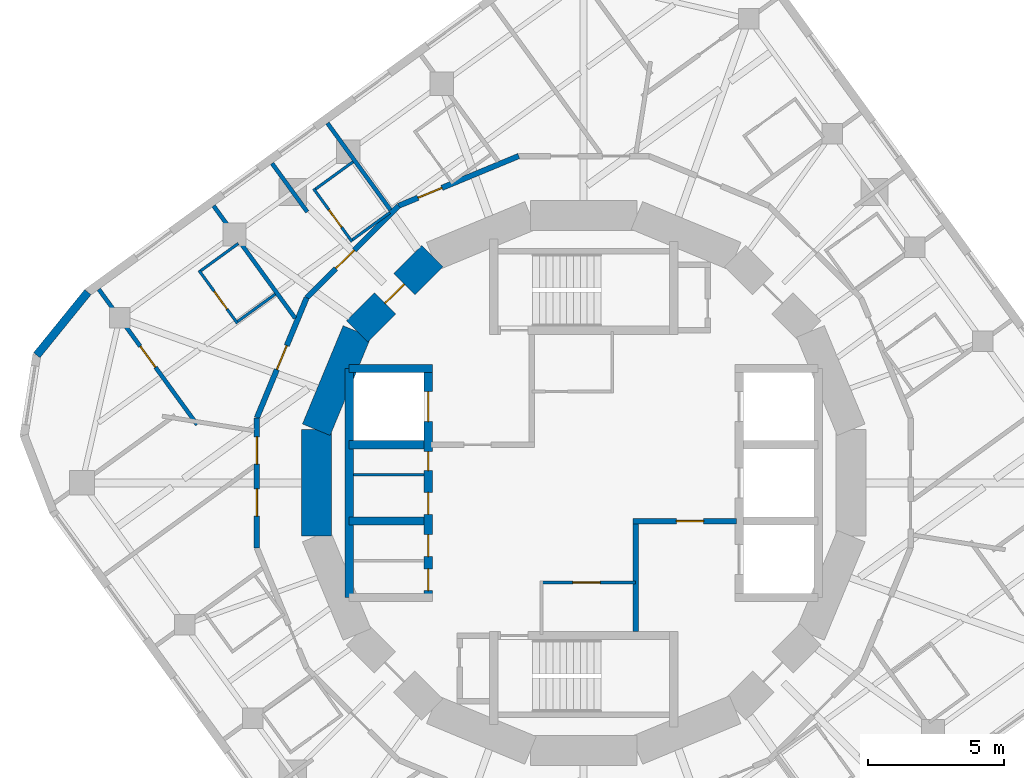
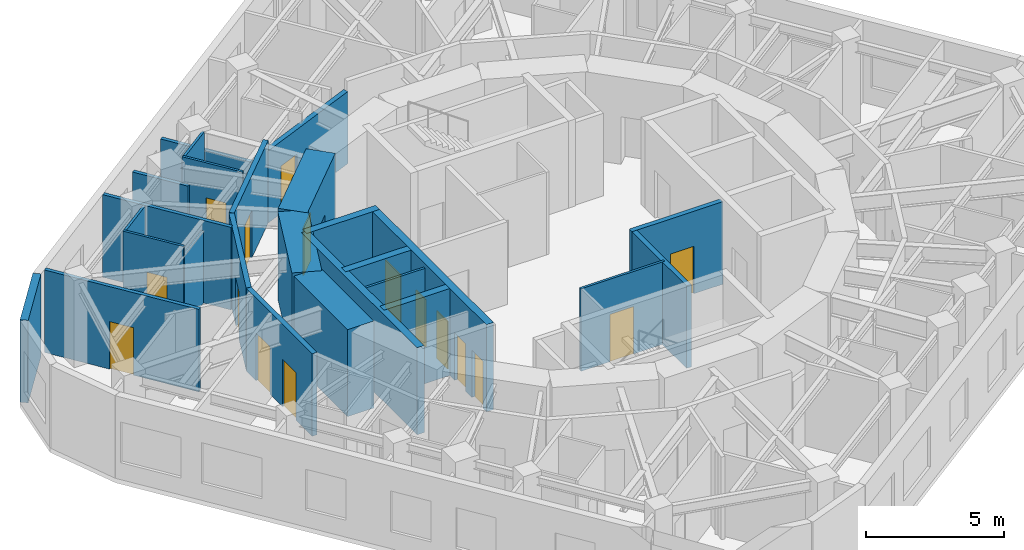
# One storey, part 5 of 9: 27 walls, 16 doors, 16 openings.
"""IFC4 building model written with IfcOpenShell, lengths in metres."""

from ifc_helpers import new_model, si_unit, direction, frame, frame_2d, origin, place, context, subcontext, project, spatial, rectangle, extrude, material, layer, layer_set, type_object, element, fill, save


model = new_model("IFC4")

# Units and contexts
model_context = context("Model", 3, precision=1e-05, world=origin(), true_north=direction((0.0, 1.0)))
body_context = subcontext(model_context, "Body", "Model", "MODEL_VIEW")
ifc_project = project(units=[si_unit("LENGTHUNIT", "METRE"), si_unit("AREAUNIT", "SQUARE_METRE"), si_unit("VOLUMEUNIT", "CUBIC_METRE"), si_unit("PLANEANGLEUNIT", "RADIAN"), si_unit("MASSUNIT", "GRAM", prefix="KILO")], contexts=[model_context])

# Site, building, storey
site_placement = place(None, origin())
site = spatial("IfcSite", under=ifc_project, at=site_placement, CompositionType="ELEMENT")
building_placement = place(site_placement, origin())
building = spatial("IfcBuilding", under=site, at=building_placement, Name="Nakasero Lantern House", CompositionType="ELEMENT")
storey_placement = place(building_placement, frame((0.0, 0.0, 283.0)))
storey = spatial("IfcBuildingStorey", under=building, at=storey_placement, Name="L69", CompositionType="ELEMENT", Elevation=283.0)

# Wall, openings, doors
ifc_material_1 = material(Name="Concrete C50/60", Category="concrete")
ifc_layer_1 = layer(ifc_material_1, 0.300048828125)
ifc_layer_set_1 = layer_set([ifc_layer_1], Name="Core inner wall 300")
wall_type_1 = type_object("IfcWallType", Name="Core inner wall 300", PredefinedType="SHEAR", material=ifc_layer_set_1)
wall_1_placement = place(storey_placement, frame((-5.699951171875, -4.199951171875, 0.0), z_axis=(0.0, 0.0, 1.0), x_axis=(0.0, 1.0, 0.0)))
wall_1 = element("IfcWall", 1, at=wall_1_placement, inside=storey, type_object=wall_type_1, Name="Core inner wall L69 LW", PredefinedType="SHEAR", context=body_context, shape_type="SweptSolid", body=[
    extrude(rectangle(XDim=8.39990234375, YDim=0.300048828125, at=frame_2d((4.199951171875, 0.0))), origin(), (0.0, 0.0, 1.0), 3.85009765625),
])
opening_1_placement = place(wall_1_placement, frame((0.25, 0.0, 0.0)))
opening_1 = element("IfcOpeningElement", 2, at=opening_1_placement, cuts=wall_1, Name="Opening D15", PredefinedType="OPENING", context=body_context, shape_type="SweptSolid", body=[
    extrude(rectangle(XDim=0.800048828125, YDim=2.10009765625, at=frame_2d((0.39990234375, 1.050048828125))), frame((0.0, 0.169921875, 0.0), z_axis=(0.0, -1.0, 0.0), x_axis=(1.0, 0.0, 0.0)), (0.0, 0.0, 1.0), 0.340087890625),
])
opening_2_placement = place(wall_1_placement, frame((1.5, 0.0, 0.0)))
opening_2 = element("IfcOpeningElement", 3, at=opening_2_placement, cuts=wall_1, Name="Opening D15", PredefinedType="OPENING", context=body_context, shape_type="SweptSolid", body=[
    extrude(rectangle(XDim=0.800048828125, YDim=2.10009765625, at=frame_2d((0.39990234375, 1.050048828125))), frame((0.0, 0.169921875, 0.0), z_axis=(0.0, -1.0, 0.0), x_axis=(1.0, 0.0, 0.0)), (0.0, 0.0, 1.0), 0.340087890625),
])
opening_3_placement = place(wall_1_placement, frame((3.050048828125, 0.0, 0.0)))
opening_3 = element("IfcOpeningElement", 4, at=opening_3_placement, cuts=wall_1, Name="Opening D15", PredefinedType="OPENING", context=body_context, shape_type="SweptSolid", body=[
    extrude(rectangle(XDim=0.800048828125, YDim=2.10009765625, at=frame_2d((0.39990234375, 1.050048828125))), frame((0.0, 0.169921875, 0.0), z_axis=(0.0, -1.0, 0.0), x_axis=(1.0, 0.0, 0.0)), (0.0, 0.0, 1.0), 0.340087890625),
])
opening_4_placement = place(wall_1_placement, frame((4.64990234375, 0.0, 0.0)))
opening_4 = element("IfcOpeningElement", 5, at=opening_4_placement, cuts=wall_1, Name="Opening D20", PredefinedType="OPENING", context=body_context, shape_type="SweptSolid", body=[
    extrude(rectangle(XDim=0.699951171875, YDim=2.10009765625, at=frame_2d((0.35009765625, 1.050048828125))), frame((0.0, 0.169921875, 0.0), z_axis=(0.0, -1.0, 0.0), x_axis=(1.0, 0.0, 0.0)), (0.0, 0.0, 1.0), 0.340087890625),
])
opening_5_placement = place(wall_1_placement, frame((6.449951171875, 0.0, 0.0)))
opening_5 = element("IfcOpeningElement", 6, at=opening_5_placement, cuts=wall_1, Name="Opening LD", PredefinedType="OPENING", context=body_context, shape_type="SweptSolid", body=[
    extrude(rectangle(XDim=1.10009765625, YDim=2.10009765625, at=frame_2d((0.550048828125, 1.050048828125))), frame((0.0, 0.169921875, 0.0), z_axis=(0.0, -1.0, 0.0), x_axis=(1.0, 0.0, 0.0)), (0.0, 0.0, 1.0), 0.340087890625),
])
ifc_material_2 = material(Name="Timber C24", Category="wood")
door_type_1 = type_object("IfcDoorType", Name="Cleaner's store door FD30S 700", OperationType="SINGLE_SWING_LEFT", PredefinedType="DOOR", material=ifc_material_2)
door_1_placement = place(opening_4_placement, origin())
door_1 = element("IfcDoor", 7, at=door_1_placement, inside=storey, type_object=door_type_1, Name="Door L69 D-SH-LW2b", OperationType="SINGLE_SWING_RIGHT", OverallHeight=2.10009765625, OverallWidth=0.699951171875, PredefinedType="DOOR", context=body_context, shape_type="SweptSolid", body=[
    extrude(rectangle(XDim=0.699951171875, YDim=2.10009765625, at=frame_2d((0.35009765625, 1.050048828125))), frame((0.0, 0.02490234375, 0.0), z_axis=(0.0, -1.0, 0.0), x_axis=(1.0, 0.0, 0.0)), (0.0, 0.0, 1.0), 0.050048828125),
])
fill(opening_4, door_1)
ifc_material_3 = material(Name="Timber C24", Category="wood")
door_type_2 = type_object("IfcDoorType", Name="Cleaner's store door FD30S 800", OperationType="SINGLE_SWING_LEFT", PredefinedType="DOOR", material=ifc_material_3)
door_2_placement = place(opening_1_placement, origin())
door_2 = element("IfcDoor", 8, at=door_2_placement, inside=storey, type_object=door_type_2, Name="Door L69 D-SH-LW1a", OperationType="SINGLE_SWING_LEFT", OverallHeight=2.10009765625, OverallWidth=0.800048828125, PredefinedType="DOOR", context=body_context, shape_type="SweptSolid", body=[
    extrude(rectangle(XDim=0.800048828125, YDim=2.10009765625, at=frame_2d((0.39990234375, 1.050048828125))), frame((0.0, 0.02490234375, 0.0), z_axis=(0.0, -1.0, 0.0), x_axis=(1.0, 0.0, 0.0)), (0.0, 0.0, 1.0), 0.050048828125),
])
fill(opening_1, door_2)
door_3_placement = place(opening_2_placement, origin())
door_3 = element("IfcDoor", 9, at=door_3_placement, inside=storey, type_object=door_type_2, Name="Door L69 D-SH-LW1b", OperationType="SINGLE_SWING_LEFT", OverallHeight=2.10009765625, OverallWidth=0.800048828125, PredefinedType="DOOR", context=body_context, shape_type="SweptSolid", body=[
    extrude(rectangle(XDim=0.800048828125, YDim=2.10009765625, at=frame_2d((0.39990234375, 1.050048828125))), frame((0.0, 0.02490234375, 0.0), z_axis=(0.0, -1.0, 0.0), x_axis=(1.0, 0.0, 0.0)), (0.0, 0.0, 1.0), 0.050048828125),
])
fill(opening_2, door_3)
door_4_placement = place(opening_3_placement, origin())
door_4 = element("IfcDoor", 10, at=door_4_placement, inside=storey, type_object=door_type_2, Name="Door L69 D-SH-LW2a", OperationType="SINGLE_SWING_LEFT", OverallHeight=2.10009765625, OverallWidth=0.800048828125, PredefinedType="DOOR", context=body_context, shape_type="SweptSolid", body=[
    extrude(rectangle(XDim=0.800048828125, YDim=2.10009765625, at=frame_2d((0.39990234375, 1.050048828125))), frame((0.0, 0.02490234375, 0.0), z_axis=(0.0, -1.0, 0.0), x_axis=(1.0, 0.0, 0.0)), (0.0, 0.0, 1.0), 0.050048828125),
])
fill(opening_3, door_4)
ifc_material_4 = material(Name="Steel S355", Category="steel")
door_type_3 = type_object("IfcDoorType", Name="Lift landing door E120 1100", OperationType="SLIDING_TO_LEFT", PredefinedType="DOOR", material=ifc_material_4)
door_5_placement = place(opening_5_placement, origin())
door_5 = element("IfcDoor", 11, at=door_5_placement, inside=storey, type_object=door_type_3, Name="Lift landing door LW3", OperationType="SLIDING_TO_LEFT", OverallHeight=2.10009765625, OverallWidth=1.10009765625, PredefinedType="DOOR", context=body_context, shape_type="SweptSolid", body=[
    extrude(rectangle(XDim=1.10009765625, YDim=2.10009765625, at=frame_2d((0.550048828125, 1.050048828125))), frame((0.0, 0.02490234375, 0.0), z_axis=(0.0, -1.0, 0.0), x_axis=(1.0, 0.0, 0.0)), (0.0, 0.0, 1.0), 0.050048828125),
])
fill(opening_5, door_5)

# Walls
wall_2_placement = place(storey_placement, frame((-8.60009765625, 4.199951171875, 0.0), z_axis=(0.0, 0.0, 1.0), x_axis=(1.0, 0.0, 0.0)))
element("IfcWall", 12, at=wall_2_placement, inside=storey, type_object=wall_type_1, Name="Core inner wall L69 LWN", PredefinedType="SHEAR", context=body_context, shape_type="SweptSolid", body=[
    extrude(rectangle(XDim=3.050048828125, YDim=0.300048828125, at=frame_2d((1.52490234375, 0.0))), origin(), (0.0, 0.0, 1.0), 3.85009765625),
])
wall_3_placement = place(storey_placement, frame((-8.60009765625, -4.199951171875, 0.0), z_axis=(0.0, 0.0, 1.0), x_axis=(0.0, 1.0, 0.0)))
element("IfcWall", 13, at=wall_3_placement, inside=storey, type_object=wall_type_1, Name="Core inner wall L69 LWB", PredefinedType="SHEAR", context=body_context, shape_type="SweptSolid", body=[
    extrude(rectangle(XDim=8.39990234375, YDim=0.300048828125, at=frame_2d((4.199951171875, 0.0))), origin(), (0.0, 0.0, 1.0), 3.85009765625),
])
for number, where, z_axis, x_axis, name in (
    (14, (-8.60009765625, -1.39990234375, 0.0), (0.0, 0.0, 1.0), (1.0, 0.0, 0.0), "Core inner wall L69 LW1"),
    (15, (-8.60009765625, 1.39990234375, 0.0), (0.0, 0.0, 1.0), (1.0, 0.0, 0.0), "Core inner wall L69 LW2"),
):
    element("IfcWall", number, at=place(storey_placement, frame(where, z_axis=z_axis, x_axis=x_axis)), inside=storey, type_object=wall_type_1, Name=name, PredefinedType="SHEAR", context=body_context, shape_type="SweptSolid", body=[
        extrude(rectangle(XDim=2.75, YDim=0.300048828125, at=frame_2d((1.375, 0.0))), origin(), (0.0, 0.0, 1.0), 3.85009765625),
    ])

# Wall, opening, door
ifc_material_5 = material(Name="Blockwork", Category="masonry")
ifc_layer_2 = layer(ifc_material_5, 0.10009765625)
ifc_layer_set_2 = layer_set([ifc_layer_2], Name="Core room wall 100")
wall_type_2 = type_object("IfcWallType", Name="Core room wall 100", PredefinedType="PARTITIONING", material=ifc_layer_set_2)
wall_4_placement = place(storey_placement, frame((-1.60009765625, -3.64990234375, 0.0), z_axis=(0.0, 0.0, 1.0), x_axis=(1.0, 0.0, 0.0)))
wall_4 = element("IfcWall", 16, at=wall_4_placement, inside=storey, type_object=wall_type_2, Name="Core room wall L69 CR-SWN", PredefinedType="PARTITIONING", context=body_context, shape_type="SweptSolid", body=[
    extrude(rectangle(XDim=3.5, YDim=0.10009765625, at=frame_2d((1.75, 0.0))), origin(), (0.0, 0.0, 1.0), 3.64990234375),
])
opening_6_placement = place(wall_4_placement, frame((1.199951171875, 0.0, 0.0)))
opening_6 = element("IfcOpeningElement", 17, at=opening_6_placement, cuts=wall_4, Name="Opening D07", PredefinedType="OPENING", context=body_context, shape_type="SweptSolid", body=[
    extrude(rectangle(XDim=1.0, YDim=2.10009765625, at=frame_2d((0.5, 1.050048828125))), frame((0.0, 0.070068359375, 0.0), z_axis=(0.0, -1.0, 0.0), x_axis=(1.0, 0.0, 0.0)), (0.0, 0.0, 1.0), 0.14013671875),
])
ifc_material_6 = material(Name="Timber C24", Category="wood")
door_type_4 = type_object("IfcDoorType", Name="Room door FD30S 1000", OperationType="SINGLE_SWING_LEFT", PredefinedType="DOOR", material=ifc_material_6)
door_6_placement = place(opening_6_placement, origin())
door_6 = element("IfcDoor", 18, at=door_6_placement, inside=storey, type_object=door_type_4, Name="Door L69 D-CR-SW", OperationType="SINGLE_SWING_LEFT", OverallHeight=2.10009765625, OverallWidth=1.0, PredefinedType="DOOR", context=body_context, shape_type="SweptSolid", body=[
    extrude(rectangle(XDim=1.0, YDim=2.10009765625, at=frame_2d((0.5, 1.050048828125))), frame((0.0, 0.02490234375, 0.0), z_axis=(0.0, -1.0, 0.0), x_axis=(1.0, 0.0, 0.0)), (0.0, 0.0, 1.0), 0.050048828125),
])
fill(opening_6, door_6)

# Wall
wall_5_placement = place(storey_placement, frame((-8.449951171875, 0.300048828125, 0.0), z_axis=(0.0, 0.0, 1.0), x_axis=(1.0, 0.0, 0.0)))
element("IfcWall", 19, at=wall_5_placement, inside=storey, type_object=wall_type_2, Name="Core room wall L69 CR-SH-LW2b", PredefinedType="PARTITIONING", context=body_context, shape_type="SweptSolid", body=[
    extrude(rectangle(XDim=2.599853515625, YDim=0.10009765625, at=frame_2d((1.2998046875, 0.0))), origin(), (0.0, 0.0, 1.0), 3.64990234375),
])

# Wall, opening, door
ifc_material_7 = material(Name="Concrete C50/60", Category="concrete")
ifc_layer_3 = layer(ifc_material_7, 1.10009765625)
ifc_layer_set_3 = layer_set([ifc_layer_3], Name="Core wall 1100")
wall_type_3 = type_object("IfcWallType", Name="Core wall 1100", PredefinedType="SHEAR", material=ifc_layer_set_3)
wall_6_placement = place(storey_placement, frame((-5.5556640625, 8.314697265625, 0.0), z_axis=(0.0, 0.0, 1.0), x_axis=(-0.707106781187, -0.707106781187, 0.0)))
wall_6 = element("IfcWall", 20, at=wall_6_placement, inside=storey, type_object=wall_type_3, Name="Core wall L69 facet 6", PredefinedType="SHEAR", context=body_context, shape_type="SweptSolid", body=[
    extrude(rectangle(XDim=3.90185546875, YDim=1.10009765625, at=frame_2d((1.950927734375, 0.0))), origin(), (0.0, 0.0, 1.0), 3.85009765625),
])
opening_7_placement = place(wall_6_placement, frame((1.450927734375, 0.0, 0.0)))
opening_7 = element("IfcOpeningElement", 21, at=opening_7_placement, cuts=wall_6, Name="Opening D05", PredefinedType="OPENING", context=body_context, shape_type="SweptSolid", body=[
    extrude(rectangle(XDim=1.0, YDim=2.10009765625, at=frame_2d((0.5, 1.050048828125))), frame((0.0, 0.570068359375, 0.0), z_axis=(0.0, -1.0, 0.0), x_axis=(1.0, 0.0, 0.0)), (0.0, 0.0, 1.0), 1.14013671875),
])
ifc_material_8 = material(Name="Timber C24", Category="wood")
door_type_5 = type_object("IfcDoorType", Name="Core door FD60S 1000", OperationType="SINGLE_SWING_LEFT", PredefinedType="DOOR", material=ifc_material_8)
door_7_placement = place(opening_7_placement, origin())
door_7 = element("IfcDoor", 22, at=door_7_placement, inside=storey, type_object=door_type_5, Name="Door L69 D-CORE06", OperationType="SINGLE_SWING_LEFT", OverallHeight=2.10009765625, OverallWidth=1.0, PredefinedType="DOOR", context=body_context, shape_type="SweptSolid", body=[
    extrude(rectangle(XDim=1.0, YDim=2.10009765625, at=frame_2d((0.5, 1.050048828125))), frame((0.0, 0.02490234375, 0.0), z_axis=(0.0, -1.0, 0.0), x_axis=(1.0, 0.0, 0.0)), (0.0, 0.0, 1.0), 0.050048828125),
])
fill(opening_7, door_7)

# Walls
for number, where, z_axis, x_axis, name in (
    (23, (-8.314697265625, 5.5556640625, 0.0), (0.0, 0.0, 1.0), (-0.382690736062, -0.923876507187, 0.0), "Core wall L69 facet 7"),
    (24, (-9.807861328125, 1.950927734375, 0.0), (0.0, 0.0, 1.0), (0.0, -1.0, 0.0), "Core wall L69 facet 8"),
):
    element("IfcWall", number, at=place(storey_placement, frame(where, z_axis=z_axis, x_axis=x_axis)), inside=storey, type_object=wall_type_3, Name=name, PredefinedType="SHEAR", context=body_context, shape_type="SweptSolid", body=[
        extrude(rectangle(XDim=3.90185546875, YDim=1.10009765625, at=frame_2d((1.950927734375, 0.0))), origin(), (0.0, 0.0, 1.0), 3.85009765625),
    ])

# Wall, openings, doors
ifc_material_9 = material(Name="Blockwork", Category="masonry")
ifc_layer_4 = layer(ifc_material_9, 0.199951171875)
ifc_layer_set_4 = layer_set([ifc_layer_4], Name="Corridor wall 200")
wall_type_4 = type_object("IfcWallType", Name="Corridor wall 200", PredefinedType="PARTITIONING", material=ifc_layer_set_4)
wall_7_placement = place(storey_placement, frame((-11.98779296875, -2.384521484375, 0.0), z_axis=(0.0, 0.0, 1.0), x_axis=(0.0, 1.0, 0.0)))
wall_7 = element("IfcWall", 25, at=wall_7_placement, inside=storey, type_object=wall_type_4, Name="Corridor wall L69 RC08a", PredefinedType="PARTITIONING", context=body_context, shape_type="SweptSolid", body=[
    extrude(rectangle(XDim=4.76904296875, YDim=0.199951171875, at=frame_2d((2.384521484375, 0.0))), origin(), (0.0, 0.0, 1.0), 3.64990234375),
])
opening_8_placement = place(wall_7_placement, frame((3.070068359375, 0.0, 0.0)))
opening_8 = element("IfcOpeningElement", 26, at=opening_8_placement, cuts=wall_7, Name="Opening D03", PredefinedType="OPENING", context=body_context, shape_type="SweptSolid", body=[
    extrude(rectangle(XDim=1.0, YDim=2.10009765625, at=frame_2d((0.5, 1.050048828125))), frame((0.0, 0.119873046875, 0.0), z_axis=(0.0, -1.0, 0.0), x_axis=(1.0, 0.0, 0.0)), (0.0, 0.0, 1.0), 0.239990234375),
])
opening_9_placement = place(wall_7_placement, frame((1.169921875, 0.0, 0.0)))
opening_9 = element("IfcOpeningElement", 27, at=opening_9_placement, cuts=wall_7, Name="Opening D03", PredefinedType="OPENING", context=body_context, shape_type="SweptSolid", body=[
    extrude(rectangle(XDim=1.0, YDim=2.10009765625, at=frame_2d((0.5, 1.050048828125))), frame((0.0, 0.119873046875, 0.0), z_axis=(0.0, -1.0, 0.0), x_axis=(1.0, 0.0, 0.0)), (0.0, 0.0, 1.0), 0.239990234375),
])
ifc_material_10 = material(Name="Timber C24", Category="wood")
door_type_6 = type_object("IfcDoorType", Name="Lounge door FD30S 1000", OperationType="SINGLE_SWING_LEFT", PredefinedType="DOOR", material=ifc_material_10)
door_8_placement = place(opening_8_placement, origin())
door_8 = element("IfcDoor", 28, at=door_8_placement, inside=storey, type_object=door_type_6, Name="Door L69 DK2", OperationType="SINGLE_SWING_RIGHT", OverallHeight=2.10009765625, OverallWidth=1.0, PredefinedType="DOOR", context=body_context, shape_type="SweptSolid", body=[
    extrude(rectangle(XDim=1.0, YDim=2.10009765625, at=frame_2d((0.5, 1.050048828125))), frame((0.0, 0.02490234375, 0.0), z_axis=(0.0, -1.0, 0.0), x_axis=(1.0, 0.0, 0.0)), (0.0, 0.0, 1.0), 0.050048828125),
])
fill(opening_8, door_8)
door_9_placement = place(opening_9_placement, origin())
door_9 = element("IfcDoor", 29, at=door_9_placement, inside=storey, type_object=door_type_6, Name="Door L69 DK2-1", OperationType="SINGLE_SWING_LEFT", OverallHeight=2.10009765625, OverallWidth=1.0, PredefinedType="DOOR", context=body_context, shape_type="SweptSolid", body=[
    extrude(rectangle(XDim=1.0, YDim=2.10009765625, at=frame_2d((0.5, 1.050048828125))), frame((0.0, 0.02490234375, 0.0), z_axis=(0.0, -1.0, 0.0), x_axis=(1.0, 0.0, 0.0)), (0.0, 0.0, 1.0), 0.050048828125),
])
fill(opening_9, door_9)

# Wall, opening, door
wall_8_placement = place(storey_placement, frame((-11.98779296875, 2.384521484375, 0.0), z_axis=(0.0, 0.0, 1.0), x_axis=(0.382669792111, 0.923885182372, 0.0)))
wall_8 = element("IfcWall", 30, at=wall_8_placement, inside=storey, type_object=wall_type_4, Name="Corridor wall L69 RC09a", PredefinedType="PARTITIONING", context=body_context, shape_type="SweptSolid", body=[
    extrude(rectangle(XDim=4.76904296875, YDim=0.199951171875, at=frame_2d((2.384521484375, 0.0))), origin(), (0.0, 0.0, 1.0), 3.64990234375),
])
opening_10_placement = place(wall_8_placement, frame((1.919921875, 0.0, 0.0)))
opening_10 = element("IfcOpeningElement", 31, at=opening_10_placement, cuts=wall_8, Name="Opening D01", PredefinedType="OPENING", context=body_context, shape_type="SweptSolid", body=[
    extrude(rectangle(XDim=0.949951171875, YDim=2.10009765625, at=frame_2d((0.47509765625, 1.050048828125))), frame((0.0, 0.119873046875, 0.0), z_axis=(0.0, -1.0, 0.0), x_axis=(1.0, 0.0, 0.0)), (0.0, 0.0, 1.0), 0.239990234375),
])
ifc_material_11 = material(Name="Timber C24", Category="wood")
door_type_7 = type_object("IfcDoorType", Name="Bedroom door FD30S 950", OperationType="SINGLE_SWING_LEFT", PredefinedType="DOOR", material=ifc_material_11)
door_10_placement = place(opening_10_placement, origin())
door_10 = element("IfcDoor", 32, at=door_10_placement, inside=storey, type_object=door_type_7, Name="Door L69 D1-06", OperationType="SINGLE_SWING_RIGHT", OverallHeight=2.10009765625, OverallWidth=0.949951171875, PredefinedType="DOOR", context=body_context, shape_type="SweptSolid", body=[
    extrude(rectangle(XDim=0.949951171875, YDim=2.10009765625, at=frame_2d((0.47509765625, 1.050048828125))), frame((0.0, 0.02490234375, 0.0), z_axis=(0.0, -1.0, 0.0), x_axis=(1.0, 0.0, 0.0)), (0.0, 0.0, 1.0), 0.050048828125),
])
fill(opening_10, door_10)

wall_9_placement = place(storey_placement, frame((-10.162841796875, 6.79052734375, 0.0), z_axis=(0.0, 0.0, 1.0), x_axis=(0.707106781187, 0.707106781187, 0.0)))
wall_9 = element("IfcWall", 33, at=wall_9_placement, inside=storey, type_object=wall_type_4, Name="Corridor wall L69 RC10a", PredefinedType="PARTITIONING", context=body_context, shape_type="SweptSolid", body=[
    extrude(rectangle(XDim=4.769287109375, YDim=0.199951171875, at=frame_2d((2.384765625, 0.0))), origin(), (0.0, 0.0, 1.0), 3.64990234375),
])
opening_11_placement = place(wall_9_placement, frame((1.52001953125, 0.0, 0.0)))
opening_11 = element("IfcOpeningElement", 34, at=opening_11_placement, cuts=wall_9, Name="Opening D01", PredefinedType="OPENING", context=body_context, shape_type="SweptSolid", body=[
    extrude(rectangle(XDim=0.949951171875, YDim=2.10009765625, at=frame_2d((0.47509765625, 1.050048828125))), frame((0.0, 0.119873046875, 0.0), z_axis=(0.0, -1.0, 0.0), x_axis=(1.0, 0.0, 0.0)), (0.0, 0.0, 1.0), 0.239990234375),
])
door_11_placement = place(opening_11_placement, origin())
door_11 = element("IfcDoor", 35, at=door_11_placement, inside=storey, type_object=door_type_7, Name="Door L69 D1-04", OperationType="SINGLE_SWING_LEFT", OverallHeight=2.10009765625, OverallWidth=0.949951171875, PredefinedType="DOOR", context=body_context, shape_type="SweptSolid", body=[
    extrude(rectangle(XDim=0.949951171875, YDim=2.10009765625, at=frame_2d((0.47509765625, 1.050048828125))), frame((0.0, 0.02490234375, 0.0), z_axis=(0.0, -1.0, 0.0), x_axis=(1.0, 0.0, 0.0)), (0.0, 0.0, 1.0), 0.050048828125),
])
fill(opening_11, door_11)

wall_10_placement = place(storey_placement, frame((-6.79052734375, 10.162841796875, 0.0), z_axis=(0.0, 0.0, 1.0), x_axis=(0.923885182372, 0.382669792111, 0.0)))
wall_10 = element("IfcWall", 36, at=wall_10_placement, inside=storey, type_object=wall_type_4, Name="Corridor wall L69 RC11a", PredefinedType="PARTITIONING", context=body_context, shape_type="SweptSolid", body=[
    extrude(rectangle(XDim=4.76904296875, YDim=0.199951171875, at=frame_2d((2.384521484375, 0.0))), origin(), (0.0, 0.0, 1.0), 3.18994140625),
])
opening_12_placement = place(wall_10_placement, frame((0.77001953125, 0.0, 0.0)))
opening_12 = element("IfcOpeningElement", 37, at=opening_12_placement, cuts=wall_10, Name="Opening D01", PredefinedType="OPENING", context=body_context, shape_type="SweptSolid", body=[
    extrude(rectangle(XDim=0.949951171875, YDim=2.10009765625, at=frame_2d((0.47509765625, 1.050048828125))), frame((0.0, 0.119873046875, 0.0), z_axis=(0.0, -1.0, 0.0), x_axis=(1.0, 0.0, 0.0)), (0.0, 0.0, 1.0), 0.239990234375),
])
door_12_placement = place(opening_12_placement, origin())
door_12 = element("IfcDoor", 38, at=door_12_placement, inside=storey, type_object=door_type_7, Name="Door L69 D1-03", OperationType="SINGLE_SWING_LEFT", OverallHeight=2.10009765625, OverallWidth=0.949951171875, PredefinedType="DOOR", context=body_context, shape_type="SweptSolid", body=[
    extrude(rectangle(XDim=0.949951171875, YDim=2.10009765625, at=frame_2d((0.47509765625, 1.050048828125))), frame((0.0, 0.02490234375, 0.0), z_axis=(0.0, -1.0, 0.0), x_axis=(1.0, 0.0, 0.0)), (0.0, 0.0, 1.0), 0.050048828125),
])
fill(opening_12, door_12)

ifc_material_12 = material(Name="Blockwork", Category="masonry")
ifc_layer_5 = layer(ifc_material_12, 0.10009765625)
ifc_layer_set_5 = layer_set([ifc_layer_5], Name="En-suite wall 100")
wall_type_5 = type_object("IfcWallType", Name="En-suite wall 100", PredefinedType="PARTITIONING", material=ifc_layer_set_5)
wall_11_placement = place(storey_placement, frame((-8.495849609375, 8.846435546875, 0.0), z_axis=(0.0, 0.0, 1.0), x_axis=(-0.587772420479, 0.809026317077, 0.0)))
wall_11 = element("IfcWall", 39, at=wall_11_placement, inside=storey, type_object=wall_type_5, Name="En-suite wall L69 ES1-04", PredefinedType="PARTITIONING", context=body_context, shape_type="SweptSolid", body=[
    extrude(rectangle(XDim=2.39990234375, YDim=0.10009765625, at=frame_2d((1.199951171875, 0.0))), origin(), (0.0, 0.0, 1.0), 3.64990234375),
])
opening_13_placement = place(wall_11_placement, frame((0.64990234375, 0.0, 0.0)))
opening_13 = element("IfcOpeningElement", 40, at=opening_13_placement, cuts=wall_11, Name="Opening D02", PredefinedType="OPENING", context=body_context, shape_type="SweptSolid", body=[
    extrude(rectangle(XDim=0.800048828125, YDim=2.10009765625, at=frame_2d((0.39990234375, 1.050048828125))), frame((0.0, 0.070068359375, 0.0), z_axis=(0.0, -1.0, 0.0), x_axis=(1.0, 0.0, 0.0)), (0.0, 0.0, 1.0), 0.14013671875),
])
ifc_material_13 = material(Name="Timber C24", Category="wood")
door_type_8 = type_object("IfcDoorType", Name="En-suite door 800", OperationType="SINGLE_SWING_RIGHT", PredefinedType="DOOR", material=ifc_material_13)
door_13_placement = place(opening_13_placement, origin())
door_13 = element("IfcDoor", 41, at=door_13_placement, inside=storey, type_object=door_type_8, Name="Door L69 DE1-04", OperationType="SINGLE_SWING_LEFT", OverallHeight=2.10009765625, OverallWidth=0.800048828125, PredefinedType="DOOR", context=body_context, shape_type="SweptSolid", body=[
    extrude(rectangle(XDim=0.800048828125, YDim=2.10009765625, at=frame_2d((0.39990234375, 1.050048828125))), frame((0.0, 0.02490234375, 0.0), z_axis=(0.0, -1.0, 0.0), x_axis=(1.0, 0.0, 0.0)), (0.0, 0.0, 1.0), 0.050048828125),
])
fill(opening_13, door_13)

# Walls
wall_12_placement = place(storey_placement, frame((-8.461181640625, 11.7763671875, 0.0), z_axis=(0.0, 0.0, 1.0), x_axis=(-0.809040252033, -0.58775323954, 0.0)))
element("IfcWall", 42, at=wall_12_placement, inside=storey, type_object=wall_type_5, Name="En-suite wall L69 EE1-04", PredefinedType="PARTITIONING", context=body_context, shape_type="SweptSolid", body=[
    extrude(rectangle(XDim=1.7001953125, YDim=0.10009765625, at=frame_2d((0.85009765625, 0.0))), origin(), (0.0, 0.0, 1.0), 3.64990234375),
])
wall_13_placement = place(storey_placement, frame((-7.109375, 9.91552734375, 0.0), z_axis=(0.0, 0.0, 1.0), x_axis=(-0.808990636343, -0.587821529301, 0.0)))
element("IfcWall", 43, at=wall_13_placement, inside=storey, type_object=wall_type_5, Name="En-suite wall L69 EI1-04", PredefinedType="PARTITIONING", context=body_context, shape_type="SweptSolid", body=[
    extrude(rectangle(XDim=1.699951171875, YDim=0.10009765625, at=frame_2d((0.85009765625, 0.0))), origin(), (0.0, 0.0, 1.0), 3.18994140625),
])

# Wall, opening, door
wall_14_placement = place(storey_placement, frame((-12.7001953125, 5.852783203125, 0.0), z_axis=(0.0, 0.0, 1.0), x_axis=(-0.587772420479, 0.809026317077, 0.0)))
wall_14 = element("IfcWall", 44, at=wall_14_placement, inside=storey, type_object=wall_type_5, Name="En-suite wall L69 ES1-06", PredefinedType="PARTITIONING", context=body_context, shape_type="SweptSolid", body=[
    extrude(rectangle(XDim=2.39990234375, YDim=0.10009765625, at=frame_2d((1.199951171875, 0.0))), origin(), (0.0, 0.0, 1.0), 3.64990234375),
])
opening_14_placement = place(wall_14_placement, frame((0.64990234375, 0.0, 0.0)))
opening_14 = element("IfcOpeningElement", 45, at=opening_14_placement, cuts=wall_14, Name="Opening D02", PredefinedType="OPENING", context=body_context, shape_type="SweptSolid", body=[
    extrude(rectangle(XDim=0.800048828125, YDim=2.10009765625, at=frame_2d((0.39990234375, 1.050048828125))), frame((0.0, 0.070068359375, 0.0), z_axis=(0.0, -1.0, 0.0), x_axis=(1.0, 0.0, 0.0)), (0.0, 0.0, 1.0), 0.14013671875),
])
door_14_placement = place(opening_14_placement, origin())
door_14 = element("IfcDoor", 46, at=door_14_placement, inside=storey, type_object=door_type_8, Name="Door L69 DE1-06", OperationType="SINGLE_SWING_LEFT", OverallHeight=2.10009765625, OverallWidth=0.800048828125, PredefinedType="DOOR", context=body_context, shape_type="SweptSolid", body=[
    extrude(rectangle(XDim=0.800048828125, YDim=2.10009765625, at=frame_2d((0.39990234375, 1.050048828125))), frame((0.0, 0.02490234375, 0.0), z_axis=(0.0, -1.0, 0.0), x_axis=(1.0, 0.0, 0.0)), (0.0, 0.0, 1.0), 0.050048828125),
])
fill(opening_14, door_14)

# Walls
wall_15_placement = place(storey_placement, frame((-12.665771484375, 8.78271484375, 0.0), z_axis=(0.0, 0.0, 1.0), x_axis=(-0.808990636343, -0.587821529301, 0.0)))
element("IfcWall", 47, at=wall_15_placement, inside=storey, type_object=wall_type_5, Name="En-suite wall L69 EE1-06", PredefinedType="PARTITIONING", context=body_context, shape_type="SweptSolid", body=[
    extrude(rectangle(XDim=1.699951171875, YDim=0.10009765625, at=frame_2d((0.85009765625, 0.0))), origin(), (0.0, 0.0, 1.0), 3.64990234375),
])
wall_16_placement = place(storey_placement, frame((-11.313720703125, 6.921875, 0.0), z_axis=(0.0, 0.0, 1.0), x_axis=(-0.809040252033, -0.58775323954, 0.0)))
element("IfcWall", 48, at=wall_16_placement, inside=storey, type_object=wall_type_5, Name="En-suite wall L69 EI1-06", PredefinedType="PARTITIONING", context=body_context, shape_type="SweptSolid", body=[
    extrude(rectangle(XDim=1.7001953125, YDim=0.10009765625, at=frame_2d((0.85009765625, 0.0))), origin(), (0.0, 0.0, 1.0), 3.18994140625),
])
ifc_material_14 = material(Name="Aluminium rainscreen on blockwork", Category="masonry")
ifc_layer_6 = layer(ifc_material_14, 0.300048828125)
ifc_layer_set_6 = layer_set([ifc_layer_6], Name="Facade wall 300")
wall_type_6 = type_object("IfcWallType", Name="Facade wall 300", PredefinedType="SOLIDWALL", material=ifc_layer_set_6)
wall_17_placement = place(storey_placement, frame((-18.185791015625, 6.996826171875, 0.0), z_axis=(0.0, 0.0, 1.0), x_axis=(-0.629375183362, -0.777101588319, 0.0)))
element("IfcWall", 49, at=wall_17_placement, inside=storey, type_object=wall_type_6, Name="Facade wall L69 FW1C1", PredefinedType="SOLIDWALL", context=body_context, shape_type="SweptSolid", body=[
    extrude(rectangle(XDim=2.976318359375, YDim=0.300048828125, at=frame_2d((1.48828125, 0.0))), origin(), (0.0, 0.0, 1.0), 3.64990234375),
])

# Wall, opening, door
ifc_material_15 = material(Name="Blockwork", Category="masonry")
ifc_layer_7 = layer(ifc_material_15, 0.199951171875)
ifc_layer_set_7 = layer_set([ifc_layer_7], Name="Fire lobby wall 200")
wall_type_7 = type_object("IfcWallType", Name="Fire lobby wall 200", PredefinedType="PARTITIONING", material=ifc_layer_set_7)
wall_18_placement = place(storey_placement, frame((5.60009765625, -1.39990234375, 0.0), z_axis=(0.0, 0.0, 1.0), x_axis=(-1.0, 0.0, 0.0)))
wall_18 = element("IfcWall", 50, at=wall_18_placement, inside=storey, type_object=wall_type_7, Name="Fire lobby wall L69 W-FL2N", PredefinedType="PARTITIONING", context=body_context, shape_type="SweptSolid", body=[
    extrude(rectangle(XDim=3.800048828125, YDim=0.199951171875, at=frame_2d((1.89990234375, 0.0))), origin(), (0.0, 0.0, 1.0), 3.64990234375),
])
opening_15_placement = place(wall_18_placement, frame((1.199951171875, 0.0, 0.0)))
opening_15 = element("IfcOpeningElement", 51, at=opening_15_placement, cuts=wall_18, Name="Opening D05", PredefinedType="OPENING", context=body_context, shape_type="SweptSolid", body=[
    extrude(rectangle(XDim=1.0, YDim=2.10009765625, at=frame_2d((0.5, 1.050048828125))), frame((0.0, 0.119873046875, 0.0), z_axis=(0.0, -1.0, 0.0), x_axis=(1.0, 0.0, 0.0)), (0.0, 0.0, 1.0), 0.239990234375),
])
door_15_placement = place(opening_15_placement, origin())
door_15 = element("IfcDoor", 52, at=door_15_placement, inside=storey, type_object=door_type_5, Name="Door L69 D-FL2", OperationType="SINGLE_SWING_LEFT", OverallHeight=2.10009765625, OverallWidth=1.0, PredefinedType="DOOR", context=body_context, shape_type="SweptSolid", body=[
    extrude(rectangle(XDim=1.0, YDim=2.10009765625, at=frame_2d((0.5, 1.050048828125))), frame((0.0, 0.02490234375, 0.0), z_axis=(0.0, -1.0, 0.0), x_axis=(1.0, 0.0, 0.0)), (0.0, 0.0, 1.0), 0.050048828125),
])
fill(opening_15, door_15)

# Walls
wall_19_placement = place(storey_placement, frame((1.89990234375, -1.5, 0.0), z_axis=(0.0, 0.0, 1.0), x_axis=(0.0, -1.0, 0.0)))
element("IfcWall", 53, at=wall_19_placement, inside=storey, type_object=wall_type_7, Name="Fire lobby wall L69 W-FL2W", PredefinedType="PARTITIONING", context=body_context, shape_type="SweptSolid", body=[
    extrude(rectangle(XDim=3.949951171875, YDim=0.199951171875, at=frame_2d((1.97509765625, 0.0))), origin(), (0.0, 0.0, 1.0), 3.64990234375),
])
ifc_material_16 = material(Name="Blockwork", Category="masonry")
ifc_layer_8 = layer(ifc_material_16, 0.14990234375)
ifc_layer_set_8 = layer_set([ifc_layer_8], Name="Party wall 150")
wall_type_8 = type_object("IfcWallType", Name="Party wall 150", PredefinedType="PARTITIONING", material=ifc_layer_set_8)
wall_20_placement = place(storey_placement, frame((-10.13818359375, 9.939208984375, 0.0), z_axis=(0.0, 0.0, 1.0), x_axis=(-0.587821928992, 0.808990345923, 0.0)))
element("IfcWall", 54, at=wall_20_placement, inside=storey, type_object=wall_type_8, Name="Party wall L69 PN1-05", PredefinedType="PARTITIONING", context=body_context, shape_type="SweptSolid", body=[
    extrude(rectangle(XDim=2.199951171875, YDim=0.14990234375, at=frame_2d((1.10009765625, 0.0))), origin(), (0.0, 0.0, 1.0), 2.95703125),
])
wall_21_placement = place(storey_placement, frame((-7.085205078125, 10.009765625, 0.0), z_axis=(0.0, 0.0, 1.0), x_axis=(-0.587777120537, 0.809022902379, 0.0)))
element("IfcWall", 55, at=wall_21_placement, inside=storey, type_object=wall_type_8, Name="Party wall L69 PW1-04", PredefinedType="PARTITIONING", context=body_context, shape_type="SweptSolid", body=[
    extrude(rectangle(XDim=3.937255859375, YDim=0.14990234375, at=frame_2d((1.96875, 0.0))), origin(), (0.0, 0.0, 1.0), 2.809326171875),
])
wall_22_placement = place(storey_placement, frame((-10.581298828125, 6.04150390625, 0.0), z_axis=(0.0, 0.0, 1.0), x_axis=(-0.587812495358, 0.808997200429, 0.0)))
element("IfcWall", 56, at=wall_22_placement, inside=storey, type_object=wall_type_8, Name="Party wall L69 PW1-06", PredefinedType="PARTITIONING", context=body_context, shape_type="SweptSolid", body=[
    extrude(rectangle(XDim=5.0927734375, YDim=0.14990234375, at=frame_2d((2.54638671875, 0.0))), origin(), (0.0, 0.0, 1.0), 3.64990234375),
])

# Wall, opening, door
wall_23_placement = place(storey_placement, frame((-14.1767578125, 2.137939453125, 0.0), z_axis=(0.0, 0.0, 1.0), x_axis=(-0.587774266883, 0.809024975628, 0.0)))
wall_23 = element("IfcWall", 57, at=wall_23_placement, inside=storey, type_object=wall_type_8, Name="Party wall L69 PW1-07", PredefinedType="PARTITIONING", context=body_context, shape_type="SweptSolid", body=[
    extrude(rectangle(XDim=6.137451171875, YDim=0.14990234375, at=frame_2d((3.06884765625, 0.0))), origin(), (0.0, 0.0, 1.0), 3.64990234375),
])
opening_16_placement = place(wall_23_placement, frame((2.60009765625, 0.0, 0.0)))
opening_16 = element("IfcOpeningElement", 58, at=opening_16_placement, cuts=wall_23, Name="Opening D01", PredefinedType="OPENING", context=body_context, shape_type="SweptSolid", body=[
    extrude(rectangle(XDim=0.949951171875, YDim=2.10009765625, at=frame_2d((0.47509765625, 1.050048828125))), frame((0.0, 0.094970703125, 0.0), z_axis=(0.0, -1.0, 0.0), x_axis=(1.0, 0.0, 0.0)), (0.0, 0.0, 1.0), 0.18994140625),
])
door_16_placement = place(opening_16_placement, origin())
door_16 = element("IfcDoor", 59, at=door_16_placement, inside=storey, type_object=door_type_7, Name="Door L69 DC1", OperationType="SINGLE_SWING_RIGHT", OverallHeight=2.10009765625, OverallWidth=0.949951171875, PredefinedType="DOOR", context=body_context, shape_type="SweptSolid", body=[
    extrude(rectangle(XDim=0.949951171875, YDim=2.10009765625, at=frame_2d((0.47509765625, 1.050048828125))), frame((0.0, 0.02490234375, 0.0), z_axis=(0.0, -1.0, 0.0), x_axis=(1.0, 0.0, 0.0)), (0.0, 0.0, 1.0), 0.050048828125),
])
fill(opening_16, door_16)

save(model, "model.ifc")
